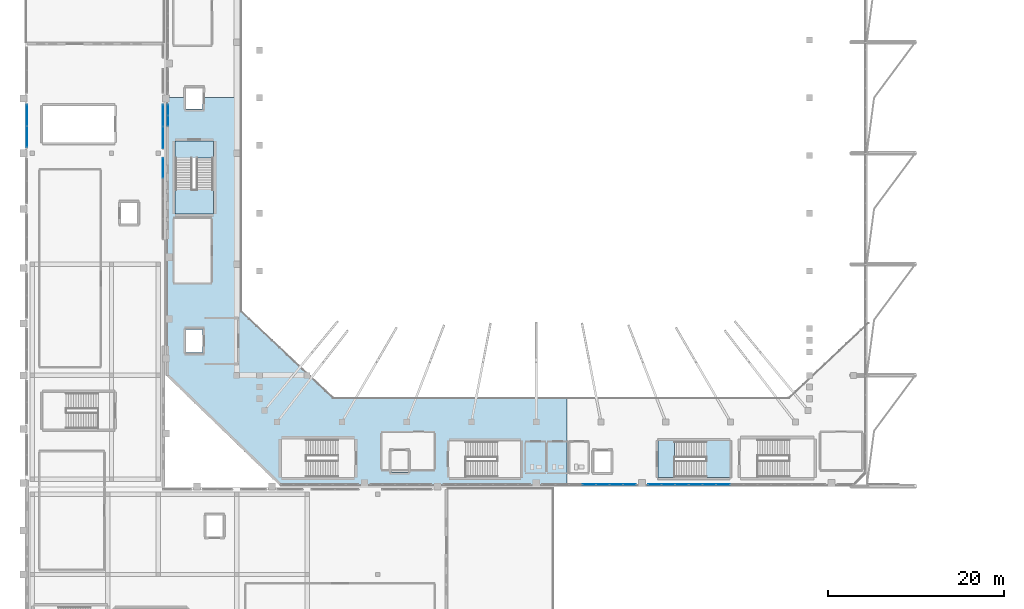
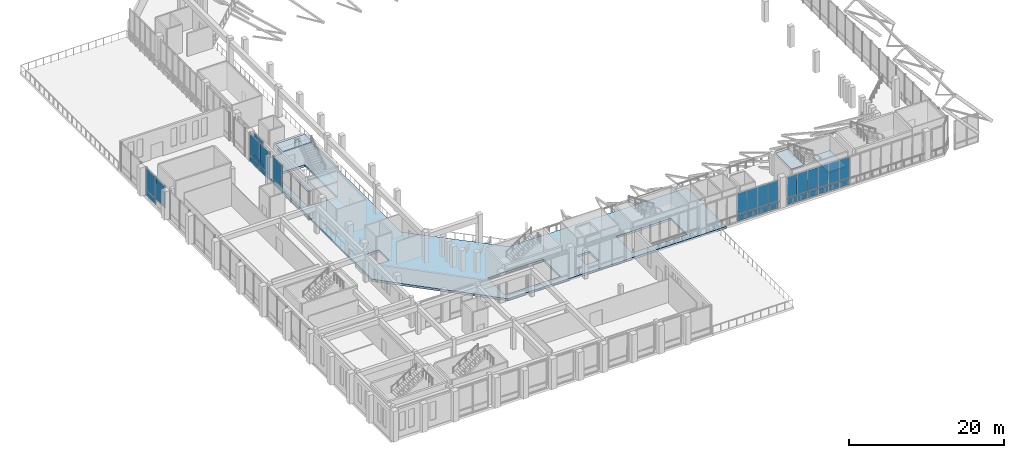
# One storey, part 44 of 79: 33 plates, 5 slabs, 8 elements without a shape of their own.
"""IFC4 building model written with IfcOpenShell, lengths in metres."""

from ifc_helpers import new_model, si_unit, derived_unit, direction, frame, origin, origin_2d, place, context, subcontext, project, spatial, polyline, rectangle, outline, extrude, material, layer, layer_set, type_object, element, aggregate, save


model = new_model("IFC4")

# Units and contexts
model_context = context("Model", 3, precision=1e-05, world=origin(), true_north=direction((0.0, 1.0)))
body_context = subcontext(model_context, "Body", "Model", "MODEL_VIEW")
ifc_project = project(units=[si_unit("LENGTHUNIT", "METRE"), si_unit("AREAUNIT", "SQUARE_METRE"), si_unit("VOLUMEUNIT", "CUBIC_METRE"), si_unit("PLANEANGLEUNIT", "RADIAN"), si_unit("MASSUNIT", "GRAM", prefix="KILO"), derived_unit("THERMALTRANSMITTANCEUNIT", [(si_unit("MASSUNIT", "GRAM", prefix="KILO"), 1), (si_unit("TIMEUNIT", "SECOND"), -3), (si_unit("THERMODYNAMICTEMPERATUREUNIT", "KELVIN"), -1)])], contexts=[model_context])

# Site, building, storey
site_placement = place(None, origin())
site = spatial("IfcSite", under=ifc_project, at=site_placement, CompositionType="ELEMENT")
building_placement = place(site_placement, origin())
building = spatial("IfcBuilding", under=site, at=building_placement, Name="Valcora Ridge Arena", CompositionType="ELEMENT")
storey_placement = place(building_placement, frame((0.0, 0.0, 16.199951171875)))
storey = spatial("IfcBuildingStorey", under=building, at=storey_placement, Name="L03", CompositionType="ELEMENT", Elevation=16.199951171875)

# Stair, slabs
ifc_material_1 = material(Name="Concrete C40/50", Category="concrete")
stair_type_1 = type_object("IfcStairType", Name="TY-STAIR-ES02-48", PredefinedType="HALF_TURN_STAIR", material=ifc_material_1)
stair_1_placement = place(storey_placement, origin())
stair_1 = element("IfcStair", 1, at=stair_1_placement, inside=storey, type_object=stair_type_1, Name="ES02-48 STR-ES-0008", PredefinedType="HALF_TURN_STAIR")
ifc_layer_1 = layer(ifc_material_1, 0.199951171875, Name="Concrete C40/50")
ifc_layer_set_1 = layer_set([ifc_layer_1], Name="Concrete C40/50")
slab_type_1 = type_object("IfcSlabType", Name="TY-LAND-ES02-48", PredefinedType="LANDING", material=ifc_layer_set_1)
slab_1_placement = place(storey_placement, frame((0.0, 0.0, 2.199951171875)))
slab_1 = element("IfcSlab", 2, at=slab_1_placement, type_object=slab_type_1, Name="ES02-48 landing 1", PredefinedType="LANDING", context=body_context, shape_type="SweptSolid", body=[
    extrude(outline(polyline([(77.280029296875, 21.001953125), (79.9580078125, 21.001953125), (79.9580078125, 25.197998046875), (77.280029296875, 25.197998046875), (77.280029296875, 21.001953125)])), origin(), (0.0, 0.0, 1.0), 0.2001953125),
])
slab_2_placement = place(storey_placement, frame((0.0, 0.0, 4.60009765625)))
slab_2 = element("IfcSlab", 3, at=slab_2_placement, type_object=slab_type_1, Name="ES02-48 landing 2", PredefinedType="LANDING", context=body_context, shape_type="SweptSolid", body=[
    extrude(outline(polyline([(71.802001953125, 21.001953125), (73.679931640625, 21.001953125), (73.679931640625, 25.197998046875), (71.802001953125, 25.197998046875), (71.802001953125, 21.001953125)])), origin(), (0.0, 0.0, 1.0), 0.199951171875),
])
aggregate(stair_1, [slab_1, slab_2])

stair_type_2 = type_object("IfcStairType", Name="TY-STAIR-ST05-48", PredefinedType="HALF_TURN_STAIR", material=ifc_material_1)
stair_2_placement = place(storey_placement, origin())
stair_2 = element("IfcStair", 4, at=stair_2_placement, inside=storey, type_object=stair_type_2, Name="ST05-48 STR-CR-0027", PredefinedType="HALF_TURN_STAIR")
ifc_layer_2 = layer(ifc_material_1, 0.199951171875, Name="Concrete C40/50")
ifc_layer_set_2 = layer_set([ifc_layer_2], Name="Concrete C40/50")
slab_type_2 = type_object("IfcSlabType", Name="TY-LAND-ST05-48", PredefinedType="LANDING", material=ifc_layer_set_2)
slab_3_placement = place(storey_placement, frame((0.0, 0.0, 2.199951171875)))
slab_3 = element("IfcSlab", 5, at=slab_3_placement, type_object=slab_type_2, Name="ST05-48 landing 1", PredefinedType="LANDING", context=body_context, shape_type="SweptSolid", body=[
    extrude(outline(polyline([(17.001953125, 50.882080078125), (21.39794921875, 50.882080078125), (21.39794921875, 53.669921875), (17.001953125, 53.669921875), (17.001953125, 50.882080078125)])), origin(), (0.0, 0.0, 1.0), 0.2001953125),
])
slab_4_placement = place(storey_placement, frame((0.0, 0.0, 4.60009765625)))
slab_4 = element("IfcSlab", 6, at=slab_4_placement, type_object=slab_type_2, Name="ST05-48 landing 2", PredefinedType="LANDING", context=body_context, shape_type="SweptSolid", body=[
    extrude(outline(polyline([(17.001953125, 57.27001953125), (21.39794921875, 57.27001953125), (21.39794921875, 59.197998046875), (17.001953125, 59.197998046875), (17.001953125, 57.27001953125)])), origin(), (0.0, 0.0, 1.0), 0.199951171875),
])
aggregate(stair_2, [slab_3, slab_4])

# Curtain wall, plates
ifc_material_2 = material(Name="Anodised dark bronze architectural aluminium 6063-T6", Category="aluminium")
ifc_layer_3 = layer(ifc_material_2, 0.179931640625, Name="Anodised dark bronze architectural aluminium 6063-T6")
ifc_layer_set_3 = layer_set([ifc_layer_3], Name="Anodised dark bronze architectural aluminium 6063-T6")
curtain_wall_type_1 = type_object("IfcCurtainWallType", Name="TY-CURTAINWALL-CW-V1-GOTH-025X44", PredefinedType="NOTDEFINED", material=ifc_layer_set_3)
curtain_wall_1_placement = place(storey_placement, origin())
curtain_wall_1 = element("IfcCurtainWall", 7, at=curtain_wall_1_placement, inside=storey, type_object=curtain_wall_type_1, Name="CW-V1-GOTH-025X44 CW-0131", PredefinedType="NOTDEFINED")
ifc_material_3 = material(Name="Low-iron solar-control double glazing SHGC 0.28", Category="glass")
ifc_layer_4 = layer(ifc_material_3, 0.031982421875, Name="Low-iron solar-control double glazing SHGC 0.28")
ifc_layer_set_4 = layer_set([ifc_layer_4], Name="Low-iron solar-control double glazing SHGC 0.28")
plate_type_1 = type_object("IfcPlateType", Name="TY-PLT-CWP-1165X0860", PredefinedType="CURTAIN_PANEL", material=ifc_layer_set_4)
plate_1_placement = place(storey_placement, frame((16.199951171875, 61.492431640625, 0.06005859375), z_axis=(0.0, 0.0, 1.0), x_axis=(0.0, 1.0, 0.0)))
plate_1 = element("IfcPlate", 8, at=plate_1_placement, type_object=plate_type_1, Name="CW-0131/P00-00", PredefinedType="CURTAIN_PANEL", context=body_context, shape_type="SweptSolid", body=[
    extrude(rectangle(XDim=1.1650390625, YDim=0.031982421875, at=origin_2d()), origin(), (0.0, 0.0, 1.0), 0.860107421875),
])
plate_2_placement = place(storey_placement, frame((16.199951171875, 62.717529296875, 0.06005859375), z_axis=(0.0, 0.0, 1.0), x_axis=(0.0, 1.0, 0.0)))
plate_2 = element("IfcPlate", 9, at=plate_2_placement, type_object=plate_type_1, Name="CW-0131/P01-00", PredefinedType="CURTAIN_PANEL", context=body_context, shape_type="SweptSolid", body=[
    extrude(rectangle(XDim=1.1650390625, YDim=0.031982421875, at=origin_2d()), origin(), (0.0, 0.0, 1.0), 0.860107421875),
])
ifc_layer_5 = layer(ifc_material_3, 0.031982421875, Name="Low-iron solar-control double glazing SHGC 0.28")
ifc_layer_set_5 = layer_set([ifc_layer_5], Name="Low-iron solar-control double glazing SHGC 0.28")
plate_type_2 = type_object("IfcPlateType", Name="TY-PLT-CWP-1165X3400", PredefinedType="CURTAIN_PANEL", material=ifc_layer_set_5)
plate_3_placement = place(storey_placement, frame((16.199951171875, 61.492431640625, 0.97998046875), z_axis=(0.0, 0.0, 1.0), x_axis=(0.0, 1.0, 0.0)))
plate_3 = element("IfcPlate", 10, at=plate_3_placement, type_object=plate_type_2, Name="CW-0131/P00-01", PredefinedType="CURTAIN_PANEL", context=body_context, shape_type="SweptSolid", body=[
    extrude(rectangle(XDim=1.1650390625, YDim=0.031982421875, at=origin_2d()), origin(), (0.0, 0.0, 1.0), 3.39990234375),
])
plate_4_placement = place(storey_placement, frame((16.199951171875, 62.717529296875, 0.97998046875), z_axis=(0.0, 0.0, 1.0), x_axis=(0.0, 1.0, 0.0)))
plate_4 = element("IfcPlate", 11, at=plate_4_placement, type_object=plate_type_2, Name="CW-0131/P01-01", PredefinedType="CURTAIN_PANEL", context=body_context, shape_type="SweptSolid", body=[
    extrude(rectangle(XDim=1.1650390625, YDim=0.031982421875, at=origin_2d()), origin(), (0.0, 0.0, 1.0), 3.39990234375),
])
aggregate(curtain_wall_1, [plate_1, plate_3, plate_2, plate_4])

ifc_layer_6 = layer(ifc_material_2, 0.179931640625, Name="Anodised dark bronze architectural aluminium 6063-T6")
ifc_layer_set_6 = layer_set([ifc_layer_6], Name="Anodised dark bronze architectural aluminium 6063-T6")
curtain_wall_type_2 = type_object("IfcCurtainWallType", Name="TY-CURTAINWALL-CW-V1-GOTH-107X44", PredefinedType="NOTDEFINED", material=ifc_layer_set_6)
curtain_wall_2_placement = place(storey_placement, origin())
curtain_wall_2 = element("IfcCurtainWall", 12, at=curtain_wall_2_placement, inside=storey, type_object=curtain_wall_type_2, Name="CW-V1-GOTH-107X44 CW-0139", PredefinedType="NOTDEFINED")
ifc_layer_7 = layer(ifc_material_3, 0.031982421875, Name="Low-iron solar-control double glazing SHGC 0.28")
ifc_layer_set_7 = layer_set([ifc_layer_7], Name="Low-iron solar-control double glazing SHGC 0.28")
plate_type_3 = type_object("IfcPlateType", Name="TY-PLT-CWP-1441X0860", PredefinedType="CURTAIN_PANEL", material=ifc_layer_set_7)
plate_5_placement = place(storey_placement, frame((68.57958984375, 20.199951171875, 0.06005859375), z_axis=(0.0, 0.0, 1.0), x_axis=(1.0, 0.0, 0.0)))
plate_5 = element("IfcPlate", 13, at=plate_5_placement, type_object=plate_type_3, Name="CW-0139/P06-00", PredefinedType="CURTAIN_PANEL", context=body_context, shape_type="SweptSolid", body=[
    extrude(rectangle(XDim=1.44091796875, YDim=0.031982421875, at=origin_2d()), origin(), (0.0, 0.0, 1.0), 0.860107421875),
])
ifc_layer_8 = layer(ifc_material_3, 0.031982421875, Name="Low-iron solar-control double glazing SHGC 0.28")
ifc_layer_set_8 = layer_set([ifc_layer_8], Name="Low-iron solar-control double glazing SHGC 0.28")
plate_type_4 = type_object("IfcPlateType", Name="TY-PLT-CWP-1441X3400", PredefinedType="CURTAIN_PANEL", material=ifc_layer_set_8)
plate_6_placement = place(storey_placement, frame((68.57958984375, 20.199951171875, 0.97998046875), z_axis=(0.0, 0.0, 1.0), x_axis=(1.0, 0.0, 0.0)))
plate_6 = element("IfcPlate", 14, at=plate_6_placement, type_object=plate_type_4, Name="CW-0139/P06-01", PredefinedType="CURTAIN_PANEL", context=body_context, shape_type="SweptSolid", body=[
    extrude(rectangle(XDim=1.44091796875, YDim=0.031982421875, at=origin_2d()), origin(), (0.0, 0.0, 1.0), 3.39990234375),
])

ifc_layer_9 = layer(ifc_material_2, 0.179931640625, Name="Anodised dark bronze architectural aluminium 6063-T6")
ifc_layer_set_9 = layer_set([ifc_layer_9], Name="Anodised dark bronze architectural aluminium 6063-T6")
curtain_wall_type_3 = type_object("IfcCurtainWallType", Name="TY-CURTAINWALL-CW-V1-GOTH-202X44", PredefinedType="NOTDEFINED", material=ifc_layer_set_9)
curtain_wall_3_placement = place(storey_placement, origin())
curtain_wall_3 = element("IfcCurtainWall", 15, at=curtain_wall_3_placement, inside=storey, type_object=curtain_wall_type_3, Name="CW-V1-GOTH-202X44 CW-0140", PredefinedType="NOTDEFINED")
ifc_layer_10 = layer(ifc_material_3, 0.031982421875, Name="Low-iron solar-control double glazing SHGC 0.28")
ifc_layer_set_10 = layer_set([ifc_layer_10], Name="Low-iron solar-control double glazing SHGC 0.28")
plate_type_5 = type_object("IfcPlateType", Name="TY-PLT-CWP-1465X0860", PredefinedType="CURTAIN_PANEL", material=ifc_layer_set_10)
plate_7_placement = place(storey_placement, frame((71.4326171875, 20.199951171875, 0.06005859375), z_axis=(0.0, 0.0, 1.0), x_axis=(1.0, 0.0, 0.0)))
plate_7 = element("IfcPlate", 16, at=plate_7_placement, type_object=plate_type_5, Name="CW-0140/P00-00", PredefinedType="CURTAIN_PANEL", context=body_context, shape_type="SweptSolid", body=[
    extrude(rectangle(XDim=1.465087890625, YDim=0.031982421875, at=origin_2d()), origin(), (0.0, 0.0, 1.0), 0.860107421875),
])
ifc_layer_11 = layer(ifc_material_3, 0.031982421875, Name="Low-iron solar-control double glazing SHGC 0.28")
ifc_layer_set_11 = layer_set([ifc_layer_11], Name="Low-iron solar-control double glazing SHGC 0.28")
plate_type_6 = type_object("IfcPlateType", Name="TY-PLT-CWP-1465X3400", PredefinedType="CURTAIN_PANEL", material=ifc_layer_set_11)
plate_8_placement = place(storey_placement, frame((71.4326171875, 20.199951171875, 0.97998046875), z_axis=(0.0, 0.0, 1.0), x_axis=(1.0, 0.0, 0.0)))
plate_8 = element("IfcPlate", 17, at=plate_8_placement, type_object=plate_type_6, Name="CW-0140/P00-01", PredefinedType="CURTAIN_PANEL", context=body_context, shape_type="SweptSolid", body=[
    extrude(rectangle(XDim=1.465087890625, YDim=0.031982421875, at=origin_2d()), origin(), (0.0, 0.0, 1.0), 3.39990234375),
])

# Plate
ifc_layer_12 = layer(ifc_material_3, 0.031982421875, Name="Low-iron solar-control double glazing SHGC 0.28")
ifc_layer_set_12 = layer_set([ifc_layer_12], Name="Low-iron solar-control double glazing SHGC 0.28")
plate_type_7 = type_object("IfcPlateType", Name="TY-PLT-CWP-1471X0860", PredefinedType="CURTAIN_PANEL", material=ifc_layer_set_12)
plate_9_placement = place(storey_placement, frame((65.531494140625, 20.199951171875, 0.06005859375), z_axis=(0.0, 0.0, 1.0), x_axis=(1.0, 0.0, 0.0)))
plate_9 = element("IfcPlate", 18, at=plate_9_placement, type_object=plate_type_7, Name="CW-0139/P04-00", PredefinedType="CURTAIN_PANEL", context=body_context, shape_type="SweptSolid", body=[
    extrude(rectangle(XDim=1.470947265625, YDim=0.031982421875, at=origin_2d()), origin(), (0.0, 0.0, 1.0), 0.860107421875),
])

ifc_layer_13 = layer(ifc_material_3, 0.031982421875, Name="Low-iron solar-control double glazing SHGC 0.28")
ifc_layer_set_13 = layer_set([ifc_layer_13], Name="Low-iron solar-control double glazing SHGC 0.28")
plate_type_8 = type_object("IfcPlateType", Name="TY-PLT-CWP-1471X3400", PredefinedType="CURTAIN_PANEL", material=ifc_layer_set_13)
plate_10_placement = place(storey_placement, frame((65.531494140625, 20.199951171875, 0.97998046875), z_axis=(0.0, 0.0, 1.0), x_axis=(1.0, 0.0, 0.0)))
plate_10 = element("IfcPlate", 19, at=plate_10_placement, type_object=plate_type_8, Name="CW-0139/P04-01", PredefinedType="CURTAIN_PANEL", context=body_context, shape_type="SweptSolid", body=[
    extrude(rectangle(XDim=1.470947265625, YDim=0.031982421875, at=origin_2d()), origin(), (0.0, 0.0, 1.0), 3.39990234375),
])

ifc_layer_14 = layer(ifc_material_3, 0.031982421875, Name="Low-iron solar-control double glazing SHGC 0.28")
ifc_layer_set_14 = layer_set([ifc_layer_14], Name="Low-iron solar-control double glazing SHGC 0.28")
plate_type_9 = type_object("IfcPlateType", Name="TY-PLT-CWP-1472X0860", PredefinedType="CURTAIN_PANEL", material=ifc_layer_set_14)
plate_11_placement = place(storey_placement, frame((64.0, 20.199951171875, 0.06005859375), z_axis=(0.0, 0.0, 1.0), x_axis=(1.0, 0.0, 0.0)))
plate_11 = element("IfcPlate", 20, at=plate_11_placement, type_object=plate_type_9, Name="CW-0139/P03-00", PredefinedType="CURTAIN_PANEL", context=body_context, shape_type="SweptSolid", body=[
    extrude(rectangle(XDim=1.471923828125, YDim=0.031982421875, at=origin_2d()), origin(), (0.0, 0.0, 1.0), 0.860107421875),
])

plate_12_placement = place(storey_placement, frame((67.06298828125, 20.199951171875, 0.06005859375), z_axis=(0.0, 0.0, 1.0), x_axis=(1.0, 0.0, 0.0)))
plate_12 = element("IfcPlate", 21, at=plate_12_placement, type_object=plate_type_9, Name="CW-0139/P05-00", PredefinedType="CURTAIN_PANEL", context=body_context, shape_type="SweptSolid", body=[
    extrude(rectangle(XDim=1.471923828125, YDim=0.031982421875, at=origin_2d()), origin(), (0.0, 0.0, 1.0), 0.860107421875),
])

ifc_layer_15 = layer(ifc_material_3, 0.031982421875, Name="Low-iron solar-control double glazing SHGC 0.28")
ifc_layer_set_15 = layer_set([ifc_layer_15], Name="Low-iron solar-control double glazing SHGC 0.28")
plate_type_10 = type_object("IfcPlateType", Name="TY-PLT-CWP-1472X3400", PredefinedType="CURTAIN_PANEL", material=ifc_layer_set_15)
plate_13_placement = place(storey_placement, frame((64.0, 20.199951171875, 0.97998046875), z_axis=(0.0, 0.0, 1.0), x_axis=(1.0, 0.0, 0.0)))
plate_13 = element("IfcPlate", 22, at=plate_13_placement, type_object=plate_type_10, Name="CW-0139/P03-01", PredefinedType="CURTAIN_PANEL", context=body_context, shape_type="SweptSolid", body=[
    extrude(rectangle(XDim=1.471923828125, YDim=0.031982421875, at=origin_2d()), origin(), (0.0, 0.0, 1.0), 3.39990234375),
])

plate_14_placement = place(storey_placement, frame((67.06298828125, 20.199951171875, 0.97998046875), z_axis=(0.0, 0.0, 1.0), x_axis=(1.0, 0.0, 0.0)))
plate_14 = element("IfcPlate", 23, at=plate_14_placement, type_object=plate_type_10, Name="CW-0139/P05-01", PredefinedType="CURTAIN_PANEL", context=body_context, shape_type="SweptSolid", body=[
    extrude(rectangle(XDim=1.471923828125, YDim=0.031982421875, at=origin_2d()), origin(), (0.0, 0.0, 1.0), 3.39990234375),
])

aggregate(curtain_wall_2, [plate_11, plate_13, plate_9, plate_10, plate_12, plate_14, plate_5, plate_6])

ifc_layer_16 = layer(ifc_material_3, 0.031982421875, Name="Low-iron solar-control double glazing SHGC 0.28")
ifc_layer_set_16 = layer_set([ifc_layer_16], Name="Low-iron solar-control double glazing SHGC 0.28")
plate_type_11 = type_object("IfcPlateType", Name="TY-PLT-CWP-1495X0860", PredefinedType="CURTAIN_PANEL", material=ifc_layer_set_16)
plate_15_placement = place(storey_placement, frame((74.528564453125, 20.199951171875, 0.06005859375), z_axis=(0.0, 0.0, 1.0), x_axis=(1.0, 0.0, 0.0)))
plate_15 = element("IfcPlate", 24, at=plate_15_placement, type_object=plate_type_11, Name="CW-0140/P02-00", PredefinedType="CURTAIN_PANEL", context=body_context, shape_type="SweptSolid", body=[
    extrude(rectangle(XDim=1.4951171875, YDim=0.031982421875, at=origin_2d()), origin(), (0.0, 0.0, 1.0), 0.860107421875),
])

plate_16_placement = place(storey_placement, frame((77.639404296875, 20.199951171875, 0.06005859375), z_axis=(0.0, 0.0, 1.0), x_axis=(1.0, 0.0, 0.0)))
plate_16 = element("IfcPlate", 25, at=plate_16_placement, type_object=plate_type_11, Name="CW-0140/P04-00", PredefinedType="CURTAIN_PANEL", context=body_context, shape_type="SweptSolid", body=[
    extrude(rectangle(XDim=1.4951171875, YDim=0.031982421875, at=origin_2d()), origin(), (0.0, 0.0, 1.0), 0.860107421875),
])

plate_17_placement = place(storey_placement, frame((79.194580078125, 20.199951171875, 0.06005859375), z_axis=(0.0, 0.0, 1.0), x_axis=(1.0, 0.0, 0.0)))
plate_17 = element("IfcPlate", 26, at=plate_17_placement, type_object=plate_type_11, Name="CW-0140/P05-00", PredefinedType="CURTAIN_PANEL", context=body_context, shape_type="SweptSolid", body=[
    extrude(rectangle(XDim=1.4951171875, YDim=0.031982421875, at=origin_2d()), origin(), (0.0, 0.0, 1.0), 0.860107421875),
])

ifc_layer_17 = layer(ifc_material_3, 0.031982421875, Name="Low-iron solar-control double glazing SHGC 0.28")
ifc_layer_set_17 = layer_set([ifc_layer_17], Name="Low-iron solar-control double glazing SHGC 0.28")
plate_type_12 = type_object("IfcPlateType", Name="TY-PLT-CWP-1495X3400", PredefinedType="CURTAIN_PANEL", material=ifc_layer_set_17)
plate_18_placement = place(storey_placement, frame((74.528564453125, 20.199951171875, 0.97998046875), z_axis=(0.0, 0.0, 1.0), x_axis=(1.0, 0.0, 0.0)))
plate_18 = element("IfcPlate", 27, at=plate_18_placement, type_object=plate_type_12, Name="CW-0140/P02-01", PredefinedType="CURTAIN_PANEL", context=body_context, shape_type="SweptSolid", body=[
    extrude(rectangle(XDim=1.4951171875, YDim=0.031982421875, at=origin_2d()), origin(), (0.0, 0.0, 1.0), 3.39990234375),
])

plate_19_placement = place(storey_placement, frame((77.639404296875, 20.199951171875, 0.97998046875), z_axis=(0.0, 0.0, 1.0), x_axis=(1.0, 0.0, 0.0)))
plate_19 = element("IfcPlate", 28, at=plate_19_placement, type_object=plate_type_12, Name="CW-0140/P04-01", PredefinedType="CURTAIN_PANEL", context=body_context, shape_type="SweptSolid", body=[
    extrude(rectangle(XDim=1.4951171875, YDim=0.031982421875, at=origin_2d()), origin(), (0.0, 0.0, 1.0), 3.39990234375),
])

plate_20_placement = place(storey_placement, frame((79.194580078125, 20.199951171875, 0.97998046875), z_axis=(0.0, 0.0, 1.0), x_axis=(1.0, 0.0, 0.0)))
plate_20 = element("IfcPlate", 29, at=plate_20_placement, type_object=plate_type_12, Name="CW-0140/P05-01", PredefinedType="CURTAIN_PANEL", context=body_context, shape_type="SweptSolid", body=[
    extrude(rectangle(XDim=1.4951171875, YDim=0.031982421875, at=origin_2d()), origin(), (0.0, 0.0, 1.0), 3.39990234375),
])

ifc_layer_18 = layer(ifc_material_3, 0.031982421875, Name="Low-iron solar-control double glazing SHGC 0.28")
ifc_layer_set_18 = layer_set([ifc_layer_18], Name="Low-iron solar-control double glazing SHGC 0.28")
plate_type_13 = type_object("IfcPlateType", Name="TY-PLT-CWP-1496X0860", PredefinedType="CURTAIN_PANEL", material=ifc_layer_set_18)
plate_21_placement = place(storey_placement, frame((72.972900390625, 20.199951171875, 0.06005859375), z_axis=(0.0, 0.0, 1.0), x_axis=(1.0, 0.0, 0.0)))
plate_21 = element("IfcPlate", 30, at=plate_21_placement, type_object=plate_type_13, Name="CW-0140/P01-00", PredefinedType="CURTAIN_PANEL", context=body_context, shape_type="SweptSolid", body=[
    extrude(rectangle(XDim=1.49609375, YDim=0.031982421875, at=origin_2d()), origin(), (0.0, 0.0, 1.0), 0.860107421875),
])

plate_22_placement = place(storey_placement, frame((76.083984375, 20.199951171875, 0.06005859375), z_axis=(0.0, 0.0, 1.0), x_axis=(1.0, 0.0, 0.0)))
plate_22 = element("IfcPlate", 31, at=plate_22_placement, type_object=plate_type_13, Name="CW-0140/P03-00", PredefinedType="CURTAIN_PANEL", context=body_context, shape_type="SweptSolid", body=[
    extrude(rectangle(XDim=1.49609375, YDim=0.031982421875, at=origin_2d()), origin(), (0.0, 0.0, 1.0), 0.860107421875),
])

ifc_layer_19 = layer(ifc_material_3, 0.031982421875, Name="Low-iron solar-control double glazing SHGC 0.28")
ifc_layer_set_19 = layer_set([ifc_layer_19], Name="Low-iron solar-control double glazing SHGC 0.28")
plate_type_14 = type_object("IfcPlateType", Name="TY-PLT-CWP-1496X3400", PredefinedType="CURTAIN_PANEL", material=ifc_layer_set_19)
plate_23_placement = place(storey_placement, frame((72.972900390625, 20.199951171875, 0.97998046875), z_axis=(0.0, 0.0, 1.0), x_axis=(1.0, 0.0, 0.0)))
plate_23 = element("IfcPlate", 32, at=plate_23_placement, type_object=plate_type_14, Name="CW-0140/P01-01", PredefinedType="CURTAIN_PANEL", context=body_context, shape_type="SweptSolid", body=[
    extrude(rectangle(XDim=1.49609375, YDim=0.031982421875, at=origin_2d()), origin(), (0.0, 0.0, 1.0), 3.39990234375),
])

plate_24_placement = place(storey_placement, frame((76.083984375, 20.199951171875, 0.97998046875), z_axis=(0.0, 0.0, 1.0), x_axis=(1.0, 0.0, 0.0)))
plate_24 = element("IfcPlate", 33, at=plate_24_placement, type_object=plate_type_14, Name="CW-0140/P03-01", PredefinedType="CURTAIN_PANEL", context=body_context, shape_type="SweptSolid", body=[
    extrude(rectangle(XDim=1.49609375, YDim=0.031982421875, at=origin_2d()), origin(), (0.0, 0.0, 1.0), 3.39990234375),
])

aggregate(curtain_wall_3, [plate_7, plate_8, plate_21, plate_23, plate_15, plate_18, plate_22, plate_24, plate_16, plate_19, plate_17, plate_20])

# Curtain wall, plates
ifc_layer_20 = layer(ifc_material_2, 0.14990234375, Name="Anodised dark bronze architectural aluminium 6063-T6")
ifc_layer_set_20 = layer_set([ifc_layer_20], Name="Anodised dark bronze architectural aluminium 6063-T6")
curtain_wall_type_4 = type_object("IfcCurtainWallType", Name="TY-CURTAINWALL-CW-V4-CLUB-093X44", PredefinedType="NOTDEFINED", material=ifc_layer_set_20)
curtain_wall_4_placement = place(storey_placement, origin())
curtain_wall_4 = element("IfcCurtainWall", 34, at=curtain_wall_4_placement, inside=storey, type_object=curtain_wall_type_4, Name="CW-V4-CLUB-093X44 CW-0293", PredefinedType="NOTDEFINED")
ifc_layer_21 = layer(ifc_material_3, 0.028076171875, Name="Low-iron solar-control double glazing SHGC 0.28")
ifc_layer_set_21 = layer_set([ifc_layer_21], Name="Low-iron solar-control double glazing SHGC 0.28")
plate_type_15 = type_object("IfcPlateType", Name="TY-PLT-CWP-2240X0875", PredefinedType="CURTAIN_PANEL", material=ifc_layer_set_21)
plate_25_placement = place(storey_placement, frame((15.64990234375, 56.139892578125, 0.050048828125), z_axis=(0.0, 0.0, 1.0), x_axis=(0.0, 1.0, 0.0)))
plate_25 = element("IfcPlate", 35, at=plate_25_placement, type_object=plate_type_15, Name="CW-0293/P03-00", PredefinedType="CURTAIN_PANEL", context=body_context, shape_type="SweptSolid", body=[
    extrude(rectangle(XDim=2.239990234375, YDim=0.028076171875, at=origin_2d()), origin(), (0.0, 0.0, 1.0), 0.875),
])
ifc_layer_22 = layer(ifc_material_3, 0.028076171875, Name="Low-iron solar-control double glazing SHGC 0.28")
ifc_layer_set_22 = layer_set([ifc_layer_22], Name="Low-iron solar-control double glazing SHGC 0.28")
plate_type_16 = type_object("IfcPlateType", Name="TY-PLT-CWP-2240X3415", PredefinedType="CURTAIN_PANEL", material=ifc_layer_set_22)
plate_26_placement = place(storey_placement, frame((15.64990234375, 56.139892578125, 0.97509765625), z_axis=(0.0, 0.0, 1.0), x_axis=(0.0, 1.0, 0.0)))
plate_26 = element("IfcPlate", 36, at=plate_26_placement, type_object=plate_type_16, Name="CW-0293/P03-01", PredefinedType="CURTAIN_PANEL", context=body_context, shape_type="SweptSolid", body=[
    extrude(rectangle(XDim=2.239990234375, YDim=0.028076171875, at=origin_2d()), origin(), (0.0, 0.0, 1.0), 3.4150390625),
])
aggregate(curtain_wall_4, [plate_25, plate_26])

ifc_layer_23 = layer(ifc_material_2, 0.14990234375, Name="Anodised dark bronze architectural aluminium 6063-T6")
ifc_layer_set_23 = layer_set([ifc_layer_23], Name="Anodised dark bronze architectural aluminium 6063-T6")
curtain_wall_type_5 = type_object("IfcCurtainWallType", Name="TY-CURTAINWALL-CW-V4-CLUB-049X44", PredefinedType="NOTDEFINED", material=ifc_layer_set_23)
curtain_wall_5_placement = place(storey_placement, origin())
curtain_wall_5 = element("IfcCurtainWall", 37, at=curtain_wall_5_placement, inside=storey, type_object=curtain_wall_type_5, Name="CW-V4-CLUB-049X44 CW-0291", PredefinedType="NOTDEFINED")
ifc_layer_24 = layer(ifc_material_3, 0.028076171875, Name="Low-iron solar-control double glazing SHGC 0.28")
ifc_layer_set_24 = layer_set([ifc_layer_24], Name="Low-iron solar-control double glazing SHGC 0.28")
plate_type_17 = type_object("IfcPlateType", Name="TY-PLT-CWP-2385X0875", PredefinedType="CURTAIN_PANEL", material=ifc_layer_set_24)
plate_27_placement = place(storey_placement, frame((0.219970703125, 62.117431640625, 0.050048828125), z_axis=(0.0, 0.0, 1.0), x_axis=(0.0, 1.0, 0.0)))
plate_27 = element("IfcPlate", 38, at=plate_27_placement, type_object=plate_type_17, Name="CW-0291/P01-00", PredefinedType="CURTAIN_PANEL", context=body_context, shape_type="SweptSolid", body=[
    extrude(rectangle(XDim=2.385009765625, YDim=0.028076171875, at=origin_2d()), origin(), (0.0, 0.0, 1.0), 0.875),
])
ifc_layer_25 = layer(ifc_material_3, 0.028076171875, Name="Low-iron solar-control double glazing SHGC 0.28")
ifc_layer_set_25 = layer_set([ifc_layer_25], Name="Low-iron solar-control double glazing SHGC 0.28")
plate_type_18 = type_object("IfcPlateType", Name="TY-PLT-CWP-2385X3415", PredefinedType="CURTAIN_PANEL", material=ifc_layer_set_25)
plate_28_placement = place(storey_placement, frame((0.219970703125, 59.6826171875, 0.97509765625), z_axis=(0.0, 0.0, 1.0), x_axis=(0.0, 1.0, 0.0)))
plate_28 = element("IfcPlate", 39, at=plate_28_placement, type_object=plate_type_18, Name="CW-0291/P00-01", PredefinedType="CURTAIN_PANEL", context=body_context, shape_type="SweptSolid", body=[
    extrude(rectangle(XDim=2.385009765625, YDim=0.028076171875, at=origin_2d()), origin(), (0.0, 0.0, 1.0), 3.4150390625),
])
plate_29_placement = place(storey_placement, frame((0.219970703125, 62.117431640625, 0.97509765625), z_axis=(0.0, 0.0, 1.0), x_axis=(0.0, 1.0, 0.0)))
plate_29 = element("IfcPlate", 40, at=plate_29_placement, type_object=plate_type_18, Name="CW-0291/P01-01", PredefinedType="CURTAIN_PANEL", context=body_context, shape_type="SweptSolid", body=[
    extrude(rectangle(XDim=2.385009765625, YDim=0.028076171875, at=origin_2d()), origin(), (0.0, 0.0, 1.0), 3.4150390625),
])
aggregate(curtain_wall_5, [plate_28, plate_27, plate_29])

ifc_layer_26 = layer(ifc_material_2, 0.14990234375, Name="Anodised dark bronze architectural aluminium 6063-T6")
ifc_layer_set_26 = layer_set([ifc_layer_26], Name="Anodised dark bronze architectural aluminium 6063-T6")
curtain_wall_type_6 = type_object("IfcCurtainWallType", Name="TY-CURTAINWALL-CW-V4-CLUB-051X44", PredefinedType="NOTDEFINED", material=ifc_layer_set_26)
curtain_wall_6_placement = place(storey_placement, origin())
curtain_wall_6 = element("IfcCurtainWall", 41, at=curtain_wall_6_placement, inside=storey, type_object=curtain_wall_type_6, Name="CW-V4-CLUB-051X44 CW-0294", PredefinedType="NOTDEFINED")
ifc_layer_27 = layer(ifc_material_3, 0.028076171875, Name="Low-iron solar-control double glazing SHGC 0.28")
ifc_layer_set_27 = layer_set([ifc_layer_27], Name="Low-iron solar-control double glazing SHGC 0.28")
plate_type_19 = type_object("IfcPlateType", Name="TY-PLT-CWP-2460X0875", PredefinedType="CURTAIN_PANEL", material=ifc_layer_set_27)
plate_30_placement = place(storey_placement, frame((15.64990234375, 59.570068359375, 0.050048828125), z_axis=(0.0, 0.0, 1.0), x_axis=(0.0, 1.0, 0.0)))
plate_30 = element("IfcPlate", 42, at=plate_30_placement, type_object=plate_type_19, Name="CW-0294/P00-00", PredefinedType="CURTAIN_PANEL", context=body_context, shape_type="SweptSolid", body=[
    extrude(rectangle(XDim=2.4599609375, YDim=0.028076171875, at=origin_2d()), origin(), (0.0, 0.0, 1.0), 0.875),
])
plate_31_placement = place(storey_placement, frame((15.64990234375, 62.080078125, 0.050048828125), z_axis=(0.0, 0.0, 1.0), x_axis=(0.0, 1.0, 0.0)))
plate_31 = element("IfcPlate", 43, at=plate_31_placement, type_object=plate_type_19, Name="CW-0294/P01-00", PredefinedType="CURTAIN_PANEL", context=body_context, shape_type="SweptSolid", body=[
    extrude(rectangle(XDim=2.4599609375, YDim=0.028076171875, at=origin_2d()), origin(), (0.0, 0.0, 1.0), 0.875),
])
ifc_layer_28 = layer(ifc_material_3, 0.028076171875, Name="Low-iron solar-control double glazing SHGC 0.28")
ifc_layer_set_28 = layer_set([ifc_layer_28], Name="Low-iron solar-control double glazing SHGC 0.28")
plate_type_20 = type_object("IfcPlateType", Name="TY-PLT-CWP-2460X3415", PredefinedType="CURTAIN_PANEL", material=ifc_layer_set_28)
plate_32_placement = place(storey_placement, frame((15.64990234375, 59.570068359375, 0.97509765625), z_axis=(0.0, 0.0, 1.0), x_axis=(0.0, 1.0, 0.0)))
plate_32 = element("IfcPlate", 44, at=plate_32_placement, type_object=plate_type_20, Name="CW-0294/P00-01", PredefinedType="CURTAIN_PANEL", context=body_context, shape_type="SweptSolid", body=[
    extrude(rectangle(XDim=2.4599609375, YDim=0.028076171875, at=origin_2d()), origin(), (0.0, 0.0, 1.0), 3.4150390625),
])
plate_33_placement = place(storey_placement, frame((15.64990234375, 62.080078125, 0.97509765625), z_axis=(0.0, 0.0, 1.0), x_axis=(0.0, 1.0, 0.0)))
plate_33 = element("IfcPlate", 45, at=plate_33_placement, type_object=plate_type_20, Name="CW-0294/P01-01", PredefinedType="CURTAIN_PANEL", context=body_context, shape_type="SweptSolid", body=[
    extrude(rectangle(XDim=2.4599609375, YDim=0.028076171875, at=origin_2d()), origin(), (0.0, 0.0, 1.0), 3.4150390625),
])
aggregate(curtain_wall_6, [plate_30, plate_32, plate_31, plate_33])

# Slab
ifc_layer_29 = layer(ifc_material_1, 0.35009765625, Name="Concrete C40/50")
ifc_layer_set_29 = layer_set([ifc_layer_29], Name="Concrete C40/50")
slab_type_3 = type_object("IfcSlabType", Name="TY-SLAB-SL-SUIT-350-SW", PredefinedType="FLOOR", material=ifc_layer_set_29)
slab_5_placement = place(storey_placement, frame((0.0, 0.0, -0.349853515625)))
element("IfcSlab", 46, at=slab_5_placement, inside=storey, type_object=slab_type_3, Name="SL-SUIT-350-SW SLB-0045", PredefinedType="FLOOR", context=body_context, shape_type="SweptSolid", body=[
    extrude(outline(polyline([(16.0, 64.10009765625), (16.0, 32.60009765625), (29.0, 20.0), (61.5, 20.0), (61.5, 30.10009765625), (35.0, 30.10009765625), (24.60009765625, 39.89990234375), (24.60009765625, 64.10009765625), (20.1201171875, 64.10009765625), (20.1201171875, 62.830078125), (18.280029296875, 62.830078125), (18.280029296875, 64.10009765625), (16.0, 64.10009765625)]), holes=[polyline([(48.10009765625, 21.0), (56.260009765625, 21.0), (56.260009765625, 25.199951171875), (48.10009765625, 25.199951171875), (48.10009765625, 21.0)]), polyline([(29.080078125, 21.0), (37.39990234375, 21.0), (37.39990234375, 25.39990234375), (29.080078125, 25.39990234375), (29.080078125, 21.0)]), polyline([(17.0, 50.8798828125), (21.39990234375, 50.8798828125), (21.39990234375, 59.199951171875), (17.0, 59.199951171875), (17.0, 50.8798828125)]), polyline([(41.580078125, 23.969970703125), (41.580078125, 21.6298828125), (43.419921875, 21.6298828125), (43.419921875, 23.969970703125), (41.580078125, 23.969970703125)]), polyline([(18.280029296875, 37.820068359375), (18.280029296875, 35.179931640625), (20.1201171875, 35.179931640625), (20.1201171875, 37.820068359375), (18.280029296875, 37.820068359375)])]), origin(), (0.0, 0.0, 1.0), 0.349853515625),
])

save(model, "model.ifc")
